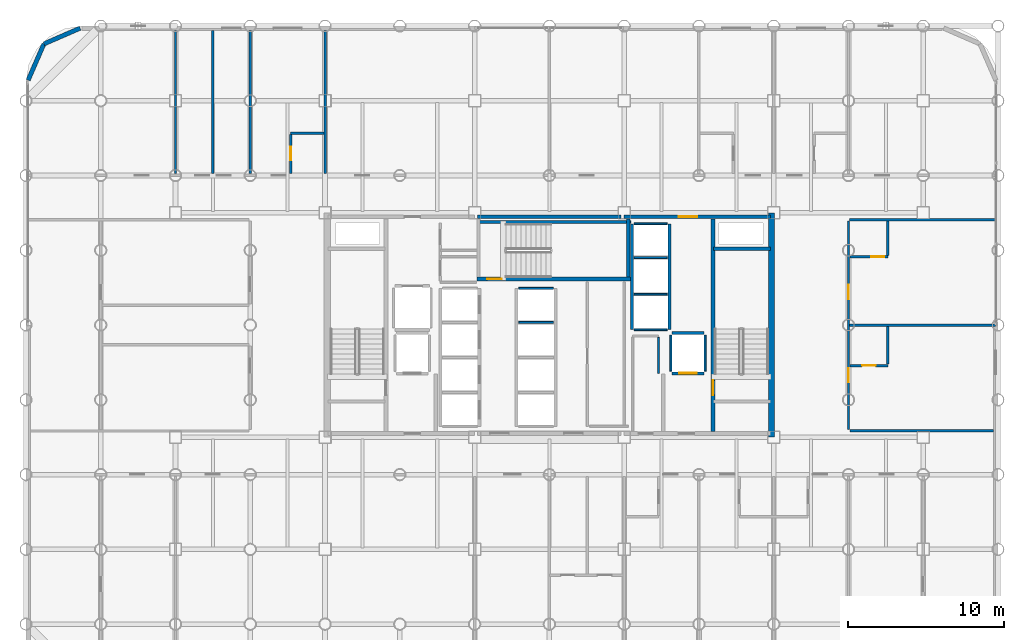
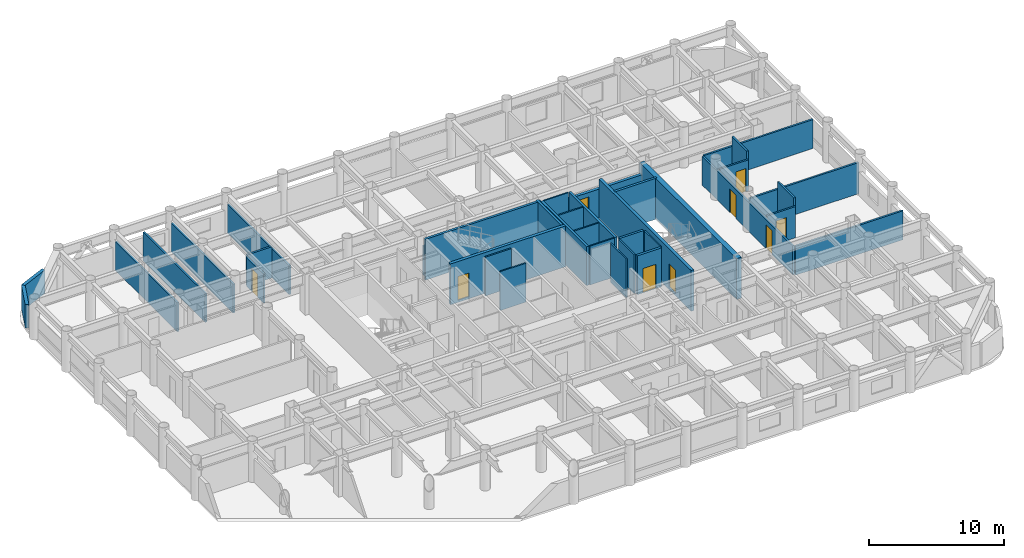
# One storey, part 18 of 21: 37 walls, 9 doors, 9 openings.
"""IFC4 building model written with IfcOpenShell, lengths in metres."""

from ifc_helpers import new_model, si_unit, direction, frame, frame_2d, origin, place, context, subcontext, project, spatial, rectangle, extrude, material, layer, layer_set, type_object, element, fill, save


model = new_model("IFC4")

# Units and contexts
model_context = context("Model", 3, precision=1e-05, world=origin(), true_north=direction((0.0, 1.0)))
body_context = subcontext(model_context, "Body", "Model", "MODEL_VIEW")
ifc_project = project(units=[si_unit("LENGTHUNIT", "METRE"), si_unit("AREAUNIT", "SQUARE_METRE"), si_unit("VOLUMEUNIT", "CUBIC_METRE"), si_unit("PLANEANGLEUNIT", "RADIAN"), si_unit("MASSUNIT", "GRAM", prefix="KILO")], contexts=[model_context])

# Site, building, storey
site_placement = place(None, origin())
site = spatial("IfcSite", under=ifc_project, at=site_placement, CompositionType="ELEMENT")
building_placement = place(site_placement, origin())
building = spatial("IfcBuilding", under=site, at=building_placement, Name="Kallvorn Hotel Tower", CompositionType="ELEMENT")
storey_placement = place(building_placement, frame((0.0, 0.0, 41.10009765625)))
storey = spatial("IfcBuildingStorey", under=building, at=storey_placement, Name="L08", CompositionType="ELEMENT", Elevation=41.10009765625)

# Walls
ifc_material_1 = material(Name="Concrete C50/60", Category="concrete")
ifc_layer_1 = layer(ifc_material_1, 0.39990234375)
ifc_layer_set_1 = layer_set([ifc_layer_1], Name="WL_CORE_400")
wall_type_1 = type_object("IfcWallType", Name="WL_CORE_400", PredefinedType="SHEAR", material=ifc_layer_set_1)
wall_1_placement = place(storey_placement, frame((14.264892578125, -7.199951171875, -0.18017578125), z_axis=(0.0, 0.0, 1.0), x_axis=(0.0, 1.0, 0.0)))
element("IfcWall", 1, at=wall_1_placement, inside=storey, type_object=wall_type_1, Name="L08 Core East Shear Wall", PredefinedType="SHEAR", context=body_context, shape_type="SweptSolid", body=[
    extrude(rectangle(XDim=14.39990234375, YDim=0.39990234375, at=frame_2d((7.199951171875, 0.0))), origin(), (0.0, 0.0, 1.0), 3.7001953125),
])
ifc_material_2 = material(Name="Fire-rated double-layer acoustic gypsum drywall EI 60")
ifc_layer_2 = layer(ifc_material_2, 0.159912109375)
ifc_layer_set_2 = layer_set([ifc_layer_2], Name="WL_DEMISE_160")
wall_type_2 = type_object("IfcWallType", Name="WL_DEMISE_160", PredefinedType="PARTITIONING", material=ifc_layer_set_2)
wall_2_placement = place(storey_placement, frame((19.280029296875, -6.800048828125, 0.0), z_axis=(0.0, 0.0, 1.0), x_axis=(1.0, 0.0, 0.0)))
element("IfcWall", 2, at=wall_2_placement, inside=storey, type_object=wall_type_2, Name="L08 Suite 801 E Loggia King Room Partition", PredefinedType="PARTITIONING", context=body_context, shape_type="SweptSolid", body=[
    extrude(rectangle(XDim=9.22998046875, YDim=0.159912109375, at=frame_2d((4.614990234375, 0.0))), origin(), (0.0, 0.0, 1.0), 2.619873046875),
])

# Wall, opening, door
wall_3_placement = place(storey_placement, frame((19.280029296875, -2.60009765625, 0.0), z_axis=(0.0, 0.0, 1.0), x_axis=(1.0, 0.0, 0.0)))
wall_3 = element("IfcWall", 3, at=wall_3_placement, inside=storey, type_object=wall_type_2, Name="L08 Suite 801 E Loggia King Room Partition", PredefinedType="PARTITIONING", context=body_context, shape_type="SweptSolid", body=[
    extrude(rectangle(XDim=2.449951171875, YDim=0.159912109375, at=frame_2d((1.22509765625, 0.0))), origin(), (0.0, 0.0, 1.0), 2.81982421875),
])
opening_1_placement = place(wall_3_placement, frame((0.794921875, 0.0, 0.0)))
opening_1 = element("IfcOpeningElement", 4, at=opening_1_placement, cuts=wall_3, Name="Opening BD-I", PredefinedType="OPENING", context=body_context, shape_type="SweptSolid", body=[
    extrude(rectangle(XDim=0.860107421875, YDim=2.10009765625, at=frame_2d((0.43017578125, 1.050048828125))), frame((0.0, 0.094970703125, 0.0), z_axis=(0.0, -1.0, 0.0), x_axis=(1.0, 0.0, 0.0)), (0.0, 0.0, 1.0), 0.18994140625),
])
ifc_material_3 = material(Name="Solid-core walnut veneer fire-rated timber door leaf", Category="wood")
door_type_1 = type_object("IfcDoorType", Name="DR_BATH_860x2100", OperationType="NOTDEFINED", PredefinedType="DOOR", material=ifc_material_3)
door_1_placement = place(opening_1_placement, origin())
door_1 = element("IfcDoor", 5, at=door_1_placement, inside=storey, type_object=door_type_1, Name="L08 Suite 801 En-Suite Bathroom Door", OperationType="SINGLE_SWING_RIGHT", OverallHeight=2.10009765625, OverallWidth=0.860107421875, PredefinedType="DOOR", context=body_context, shape_type="SweptSolid", body=[
    extrude(rectangle(XDim=0.860107421875, YDim=2.10009765625, at=frame_2d((0.43017578125, 1.050048828125))), frame((0.0, 0.02490234375, 0.0), z_axis=(0.0, -1.0, 0.0), x_axis=(1.0, 0.0, 0.0)), (0.0, 0.0, 1.0), 0.050048828125),
])
fill(opening_1, door_1)

# Wall
wall_4_placement = place(storey_placement, frame((19.280029296875, 0.0, 0.0), z_axis=(0.0, 0.0, 1.0), x_axis=(1.0, 0.0, 0.0)))
element("IfcWall", 6, at=wall_4_placement, inside=storey, type_object=wall_type_2, Name="L08 Suite 802 E Andean Twin Room Partition", PredefinedType="PARTITIONING", context=body_context, shape_type="SweptSolid", body=[
    extrude(rectangle(XDim=9.349853515625, YDim=0.159912109375, at=frame_2d((4.6748046875, 0.0))), origin(), (0.0, 0.0, 1.0), 2.81982421875),
])

# Wall, opening, door
wall_5_placement = place(storey_placement, frame((19.280029296875, 4.38330078125, 0.0), z_axis=(0.0, 0.0, 1.0), x_axis=(1.0, 0.0, 0.0)))
wall_5 = element("IfcWall", 7, at=wall_5_placement, inside=storey, type_object=wall_type_2, Name="L08 Suite 802 E Andean Twin Room Partition", PredefinedType="PARTITIONING", context=body_context, shape_type="SweptSolid", body=[
    extrude(rectangle(XDim=2.449951171875, YDim=0.159912109375, at=frame_2d((1.22509765625, 0.0))), origin(), (0.0, 0.0, 1.0), 2.81982421875),
])
opening_2_placement = place(wall_5_placement, frame((1.3701171875, 0.0, 0.0)))
opening_2 = element("IfcOpeningElement", 8, at=opening_2_placement, cuts=wall_5, Name="Opening BD-I", PredefinedType="OPENING", context=body_context, shape_type="SweptSolid", body=[
    extrude(rectangle(XDim=0.860107421875, YDim=2.10009765625, at=frame_2d((0.43017578125, 1.050048828125))), frame((0.0, 0.094970703125, 0.0), z_axis=(0.0, -1.0, 0.0), x_axis=(1.0, 0.0, 0.0)), (0.0, 0.0, 1.0), 0.18994140625),
])
door_2_placement = place(opening_2_placement, origin())
door_2 = element("IfcDoor", 9, at=door_2_placement, inside=storey, type_object=door_type_1, Name="L08 Suite 802 En-Suite Bathroom Door", OperationType="SINGLE_SWING_LEFT", OverallHeight=2.10009765625, OverallWidth=0.860107421875, PredefinedType="DOOR", context=body_context, shape_type="SweptSolid", body=[
    extrude(rectangle(XDim=0.860107421875, YDim=2.10009765625, at=frame_2d((0.43017578125, 1.050048828125))), frame((0.0, 0.02490234375, 0.0), z_axis=(0.0, -1.0, 0.0), x_axis=(1.0, 0.0, 0.0)), (0.0, 0.0, 1.0), 0.050048828125),
])
fill(opening_2, door_2)

# Walls
wall_6_placement = place(storey_placement, frame((19.280029296875, 6.75, 0.0), z_axis=(0.0, 0.0, 1.0), x_axis=(1.0, 0.0, 0.0)))
element("IfcWall", 10, at=wall_6_placement, inside=storey, type_object=wall_type_2, Name="L08 Suite 802 E Andean Twin Room Partition", PredefinedType="PARTITIONING", context=body_context, shape_type="SweptSolid", body=[
    extrude(rectangle(XDim=9.349853515625, YDim=0.159912109375, at=frame_2d((4.6748046875, 0.0))), origin(), (0.0, 0.0, 1.0), 2.619873046875),
])
wall_7_placement = place(storey_placement, frame((-16.610107421875, 12.320068359375, 0.0), z_axis=(0.0, 0.0, 1.0), x_axis=(1.0, 0.0, 0.0)))
element("IfcWall", 11, at=wall_7_placement, inside=storey, type_object=wall_type_2, Name="L08 Suite 807 Standard Twin Room Partition", PredefinedType="PARTITIONING", context=body_context, shape_type="SweptSolid", body=[
    extrude(rectangle(XDim=2.130126953125, YDim=0.159912109375, at=frame_2d((1.06494140625, 0.0))), origin(), (0.0, 0.0, 1.0), 2.81982421875),
])
wall_8_placement = place(storey_placement, frame((-19.199951171875, 9.719970703125, 0.0), z_axis=(0.0, 0.0, 1.0), x_axis=(0.0, 1.0, 0.0)))
element("IfcWall", 12, at=wall_8_placement, inside=storey, type_object=wall_type_2, Name="L08 Suite 807 Standard Twin Room Partition", PredefinedType="PARTITIONING", context=body_context, shape_type="SweptSolid", body=[
    extrude(rectangle(XDim=9.18994140625, YDim=0.159912109375, at=frame_2d((4.594970703125, 0.0))), origin(), (0.0, 0.0, 1.0), 2.619873046875),
])

# Wall, opening, door
wall_9_placement = place(storey_placement, frame((-16.610107421875, 9.719970703125, 0.0), z_axis=(0.0, 0.0, 1.0), x_axis=(0.0, 1.0, 0.0)))
wall_9 = element("IfcWall", 13, at=wall_9_placement, inside=storey, type_object=wall_type_2, Name="L08 Suite 807 Standard Twin Room Partition", PredefinedType="PARTITIONING", context=body_context, shape_type="SweptSolid", body=[
    extrude(rectangle(XDim=2.51513671875, YDim=0.159912109375, at=frame_2d((1.257568359375, 0.0))), origin(), (0.0, 0.0, 1.0), 2.619873046875),
])
opening_3_placement = place(wall_9_placement, frame((0.8701171875, 0.0, 0.0)))
opening_3 = element("IfcOpeningElement", 14, at=opening_3_placement, cuts=wall_9, Name="Opening BD-I", PredefinedType="OPENING", context=body_context, shape_type="SweptSolid", body=[
    extrude(rectangle(XDim=0.860107421875, YDim=2.10009765625, at=frame_2d((0.43017578125, 1.050048828125))), frame((0.0, 0.094970703125, 0.0), z_axis=(0.0, -1.0, 0.0), x_axis=(1.0, 0.0, 0.0)), (0.0, 0.0, 1.0), 0.18994140625),
])
door_3_placement = place(opening_3_placement, origin())
door_3 = element("IfcDoor", 15, at=door_3_placement, inside=storey, type_object=door_type_1, Name="L08 Suite 807 En-Suite Bathroom Door", OperationType="SINGLE_SWING_RIGHT", OverallHeight=2.10009765625, OverallWidth=0.860107421875, PredefinedType="DOOR", context=body_context, shape_type="SweptSolid", body=[
    extrude(rectangle(XDim=0.860107421875, YDim=2.10009765625, at=frame_2d((0.43017578125, 1.050048828125))), frame((0.0, 0.02490234375, 0.0), z_axis=(0.0, -1.0, 0.0), x_axis=(1.0, 0.0, 0.0)), (0.0, 0.0, 1.0), 0.050048828125),
])
fill(opening_3, door_3)

# Wall
wall_10_placement = place(storey_placement, frame((-14.39990234375, 9.719970703125, 0.0), z_axis=(0.0, 0.0, 1.0), x_axis=(0.0, 1.0, 0.0)))
element("IfcWall", 16, at=wall_10_placement, inside=storey, type_object=wall_type_2, Name="L08 Suite 807 Standard Twin Room Partition", PredefinedType="PARTITIONING", context=body_context, shape_type="SweptSolid", body=[
    extrude(rectangle(XDim=9.18994140625, YDim=0.159912109375, at=frame_2d((4.594970703125, 0.0))), origin(), (0.0, 0.0, 1.0), 2.619873046875),
])

# Wall, openings, doors
wall_11_placement = place(storey_placement, frame((19.199951171875, -6.715087890625, 0.0), z_axis=(0.0, 0.0, 1.0), x_axis=(0.0, 1.0, 0.0)))
wall_11 = element("IfcWall", 17, at=wall_11_placement, inside=storey, type_object=wall_type_2, Name="L08 Suite 801 E Loggia King Room Partition", PredefinedType="PARTITIONING", context=body_context, shape_type="SweptSolid", body=[
    extrude(rectangle(XDim=13.380126953125, YDim=0.159912109375, at=frame_2d((6.68994140625, 0.0))), origin(), (0.0, 0.0, 1.0), 2.619873046875),
])
opening_4_placement = place(wall_11_placement, frame((3.034912109375, 0.0, 0.0)))
opening_4 = element("IfcOpeningElement", 18, at=opening_4_placement, cuts=wall_11, Name="Opening GD1", PredefinedType="OPENING", context=body_context, shape_type="SweptSolid", body=[
    extrude(rectangle(XDim=0.919921875, YDim=2.14990234375, at=frame_2d((0.4599609375, 1.074951171875))), frame((0.0, 0.094970703125, 0.0), z_axis=(0.0, -1.0, 0.0), x_axis=(1.0, 0.0, 0.0)), (0.0, 0.0, 1.0), 0.18994140625),
])
opening_5_placement = place(wall_11_placement, frame((8.385009765625, 0.0, 0.0)))
opening_5 = element("IfcOpeningElement", 19, at=opening_5_placement, cuts=wall_11, Name="Opening GD1", PredefinedType="OPENING", context=body_context, shape_type="SweptSolid", body=[
    extrude(rectangle(XDim=0.919921875, YDim=2.14990234375, at=frame_2d((0.4599609375, 1.074951171875))), frame((0.0, 0.094970703125, 0.0), z_axis=(0.0, -1.0, 0.0), x_axis=(1.0, 0.0, 0.0)), (0.0, 0.0, 1.0), 0.18994140625),
])
ifc_material_4 = material(Name="Solid-core walnut veneer fire-rated timber door leaf", Category="wood")
door_type_2 = type_object("IfcDoorType", Name="DR_GUEST_920x2150", OperationType="NOTDEFINED", PredefinedType="DOOR", material=ifc_material_4)
door_4_placement = place(opening_4_placement, origin())
door_4 = element("IfcDoor", 20, at=door_4_placement, inside=storey, type_object=door_type_2, Name="L08 Suite 801 E Loggia King Room Door", OperationType="SINGLE_SWING_RIGHT", OverallHeight=2.14990234375, OverallWidth=0.919921875, PredefinedType="DOOR", context=body_context, shape_type="SweptSolid", body=[
    extrude(rectangle(XDim=0.919921875, YDim=2.14990234375, at=frame_2d((0.4599609375, 1.074951171875))), frame((0.0, 0.02490234375, 0.0), z_axis=(0.0, -1.0, 0.0), x_axis=(1.0, 0.0, 0.0)), (0.0, 0.0, 1.0), 0.050048828125),
])
fill(opening_4, door_4)
door_5_placement = place(opening_5_placement, origin())
door_5 = element("IfcDoor", 21, at=door_5_placement, inside=storey, type_object=door_type_2, Name="L08 Suite 802 E Andean Twin Room Door", OperationType="SINGLE_SWING_LEFT", OverallHeight=2.14990234375, OverallWidth=0.919921875, PredefinedType="DOOR", context=body_context, shape_type="SweptSolid", body=[
    extrude(rectangle(XDim=0.919921875, YDim=2.14990234375, at=frame_2d((0.4599609375, 1.074951171875))), frame((0.0, 0.02490234375, 0.0), z_axis=(0.0, -1.0, 0.0), x_axis=(1.0, 0.0, 0.0)), (0.0, 0.0, 1.0), 0.050048828125),
])
fill(opening_5, door_5)

# Walls
wall_12_placement = place(storey_placement, frame((21.72998046875, -2.514892578125, 0.0), z_axis=(0.0, 0.0, 1.0), x_axis=(0.0, 1.0, 0.0)))
element("IfcWall", 22, at=wall_12_placement, inside=storey, type_object=wall_type_2, Name="L08 Suite 801 E Loggia King Room Partition", PredefinedType="PARTITIONING", context=body_context, shape_type="SweptSolid", body=[
    extrude(rectangle(XDim=2.414794921875, YDim=0.159912109375, at=frame_2d((1.20751953125, 0.0))), origin(), (0.0, 0.0, 1.0), 3.52001953125),
])
wall_13_placement = place(storey_placement, frame((21.72998046875, 4.46826171875, 0.0), z_axis=(0.0, 0.0, 1.0), x_axis=(0.0, 1.0, 0.0)))
element("IfcWall", 23, at=wall_13_placement, inside=storey, type_object=wall_type_2, Name="L08 Suite 802 E Andean Twin Room Partition", PredefinedType="PARTITIONING", context=body_context, shape_type="SweptSolid", body=[
    extrude(rectangle(XDim=2.19677734375, YDim=0.159912109375, at=frame_2d((1.098388671875, 0.0))), origin(), (0.0, 0.0, 1.0), 3.52001953125),
])
ifc_material_5 = material(Name="Precast basalt-clad insulated concrete wall C40/50", Category="masonry")
ifc_layer_3 = layer(ifc_material_5, 0.280029296875)
ifc_layer_set_3 = layer_set([ifc_layer_3], Name="WL_EXT_LOGGIA_280")
wall_type_3 = type_object("IfcWallType", Name="WL_EXT_LOGGIA_280", PredefinedType="SOLIDWALL", material=ifc_layer_set_3)
wall_14_placement = place(storey_placement, frame((-30.120849609375, 19.057861328125, 0.0), z_axis=(0.0, 0.0, 1.0), x_axis=(-0.917060872934, -0.398747232384, 0.0)))
element("IfcWall", 24, at=wall_14_placement, inside=storey, type_object=wall_type_3, Name="L08 Rounded Corner Exterior Wall NW1", PredefinedType="SOLIDWALL", context=body_context, shape_type="SweptSolid", body=[
    extrude(rectangle(XDim=2.5361328125, YDim=0.280029296875, at=frame_2d((1.26806640625, 0.0))), origin(), (0.0, 0.0, 1.0), 2.119873046875),
])
wall_15_placement = place(storey_placement, frame((-32.446533203125, 18.046630859375, 0.0), z_axis=(0.0, 0.0, 1.0), x_axis=(-0.398792985289, -0.917040977756, 0.0)))
element("IfcWall", 25, at=wall_15_placement, inside=storey, type_object=wall_type_3, Name="L08 Rounded Corner Exterior Wall NW2", PredefinedType="SOLIDWALL", context=body_context, shape_type="SweptSolid", body=[
    extrude(rectangle(XDim=2.536376953125, YDim=0.280029296875, at=frame_2d((1.26806640625, 0.0))), origin(), (0.0, 0.0, 1.0), 2.119873046875),
])
ifc_material_6 = material(Name="Concrete C40/50", Category="concrete")
ifc_layer_4 = layer(ifc_material_6, 0.199951171875)
ifc_layer_set_4 = layer_set([ifc_layer_4], Name="WL_HOIST_200")
wall_type_4 = type_object("IfcWallType", Name="WL_HOIST_200", PredefinedType="SOLIDWALL", material=ifc_layer_set_4)
wall_16_placement = place(storey_placement, frame((10.550048828125, 4.89990234375, -0.18017578125), z_axis=(0.0, 0.0, 1.0), x_axis=(1.0, 0.0, 0.0)))
element("IfcWall", 26, at=wall_16_placement, inside=storey, type_object=wall_type_4, Name="L08 Stair ST2 North Wall", PredefinedType="SOLIDWALL", context=body_context, shape_type="SweptSolid", body=[
    extrude(rectangle(XDim=3.64990234375, YDim=0.199951171875, at=frame_2d((1.824951171875, 0.0))), origin(), (0.0, 0.0, 1.0), 3.7001953125),
])
wall_17_placement = place(storey_placement, frame((-4.64990234375, 6.610107421875, -0.18017578125), z_axis=(0.0, 0.0, 1.0), x_axis=(1.0, 0.0, 0.0)))
element("IfcWall", 27, at=wall_17_placement, inside=storey, type_object=wall_type_4, Name="L08 Stair ST3 Shaft North Wall", PredefinedType="SOLIDWALL", context=body_context, shape_type="SweptSolid", body=[
    extrude(rectangle(XDim=9.89990234375, YDim=0.199951171875, at=frame_2d((4.949951171875, 0.0))), origin(), (0.0, 0.0, 1.0), 3.7001953125),
])
wall_18_placement = place(storey_placement, frame((5.06005859375, 3.080078125, -0.18017578125), z_axis=(0.0, 0.0, 1.0), x_axis=(0.0, 1.0, 0.0)))
element("IfcWall", 28, at=wall_18_placement, inside=storey, type_object=wall_type_4, Name="L08 Stair ST3 East Wall", PredefinedType="SOLIDWALL", context=body_context, shape_type="SweptSolid", body=[
    extrude(rectangle(XDim=3.739990234375, YDim=0.199951171875, at=frame_2d((1.8701171875, 0.0))), origin(), (0.0, 0.0, 1.0), 3.7001953125),
])
for number, where, z_axis, x_axis, name in (
    (29, (7.699951171875, -0.300048828125, 0.0), (0.0, 0.0, 1.0), (0.0, 1.0, 0.0), "L08 Lift Bank OBS Landing Wall"),
    (30, (5.300048828125, -0.300048828125, 0.0), (0.0, 0.0, 1.0), (0.0, 1.0, 0.0), "L08 Lift Bank OBS Rear Shaft Wall"),
):
    element("IfcWall", number, at=place(storey_placement, frame(where, z_axis=z_axis, x_axis=x_axis)), inside=storey, type_object=wall_type_4, Name=name, PredefinedType="SOLIDWALL", context=body_context, shape_type="SweptSolid", body=[
        extrude(rectangle(XDim=6.800048828125, YDim=0.199951171875, at=frame_2d((3.39990234375, 0.0))), origin(), (0.0, 0.0, 1.0), 3.52001953125),
    ])

# Wall, opening, door
wall_19_placement = place(storey_placement, frame((7.8798828125, -3.10009765625, 0.0), z_axis=(0.0, 0.0, 1.0), x_axis=(1.0, 0.0, 0.0)))
wall_19 = element("IfcWall", 31, at=wall_19_placement, inside=storey, type_object=wall_type_4, Name="L08 FL-2 Landing Wall", PredefinedType="SOLIDWALL", context=body_context, shape_type="SweptSolid", body=[
    extrude(rectangle(XDim=2.0400390625, YDim=0.199951171875, at=frame_2d((1.02001953125, 0.0))), origin(), (0.0, 0.0, 1.0), 3.52001953125),
])
opening_6_placement = place(wall_19_placement, frame((0.469970703125, 0.0, 0.0)))
opening_6 = element("IfcOpeningElement", 32, at=opening_6_placement, cuts=wall_19, Name="Opening LD-FL-2", PredefinedType="OPENING", context=body_context, shape_type="SweptSolid", body=[
    extrude(rectangle(XDim=1.10009765625, YDim=2.199951171875, at=frame_2d((0.550048828125, 1.10009765625))), frame((0.0, 0.114990234375, 0.0), z_axis=(0.0, -1.0, 0.0), x_axis=(1.0, 0.0, 0.0)), (0.0, 0.0, 1.0), 0.22998046875),
])
ifc_material_7 = material(Name="Brushed stainless-steel automatic sliding lift landing door", Category="steel")
door_type_3 = type_object("IfcDoorType", Name="LD_PASS_1100x2200", OperationType="SLIDING_TO_LEFT", PredefinedType="DOOR", material=ifc_material_7)
door_6_placement = place(opening_6_placement, origin())
door_6 = element("IfcDoor", 33, at=door_6_placement, inside=storey, type_object=door_type_3, Name="L08 Lift Landing Sliding Door LD-FL-2", OperationType="SLIDING_TO_LEFT", OverallHeight=2.199951171875, OverallWidth=1.10009765625, PredefinedType="DOOR", context=body_context, shape_type="SweptSolid", body=[
    extrude(rectangle(XDim=1.10009765625, YDim=2.199951171875, at=frame_2d((0.550048828125, 1.10009765625))), frame((0.0, 0.02490234375, 0.0), z_axis=(0.0, -1.0, 0.0), x_axis=(1.0, 0.0, 0.0)), (0.0, 0.0, 1.0), 0.050048828125),
])
fill(opening_6, door_6)

# Walls
wall_20_placement = place(storey_placement, frame((7.8798828125, -0.5, 0.0), z_axis=(0.0, 0.0, 1.0), x_axis=(1.0, 0.0, 0.0)))
element("IfcWall", 34, at=wall_20_placement, inside=storey, type_object=wall_type_4, Name="L08 FL-2 Rear Shaft Wall", PredefinedType="SOLIDWALL", context=body_context, shape_type="SweptSolid", body=[
    extrude(rectangle(XDim=2.0400390625, YDim=0.199951171875, at=frame_2d((1.02001953125, 0.0))), origin(), (0.0, 0.0, 1.0), 3.52001953125),
])
ifc_material_8 = material(Name="Fire-rated double-layer acoustic gypsum drywall EI 60")
ifc_layer_5 = layer(ifc_material_8, 0.1201171875)
ifc_layer_set_5 = layer_set([ifc_layer_5], Name="WL_INT_120")
wall_type_5 = type_object("IfcWallType", Name="WL_INT_120", PredefinedType="PARTITIONING", material=ifc_layer_set_5)
for number, where, z_axis, x_axis, name in (
    (35, (-1.9599609375, 0.175048828125, 0.0), (0.0, 0.0, 1.0), (1.0, 0.0, 0.0), "L08 PL-07 Hoistway Divider"),
    (36, (-1.9599609375, 2.35009765625, 0.0), (0.0, 0.0, 1.0), (1.0, 0.0, 0.0), "L08 PL-08 Hoistway Divider"),
):
    element("IfcWall", number, at=place(storey_placement, frame(where, z_axis=z_axis, x_axis=x_axis)), inside=storey, type_object=wall_type_5, Name=name, PredefinedType="PARTITIONING", context=body_context, shape_type="SweptSolid", body=[
        extrude(rectangle(XDim=2.219970703125, YDim=0.1201171875, at=frame_2d((1.10986328125, 0.0))), origin(), (0.0, 0.0, 1.0), 3.52001953125),
    ])
for number, where, z_axis, x_axis, name in (
    (37, (5.43994140625, -0.300048828125, 0.0), (0.0, 0.0, 1.0), (1.0, 0.0, 0.0), "L08 Lift Bank OBS South Closure Wall"),
    (38, (5.43994140625, 1.97509765625, 0.0), (0.0, 0.0, 1.0), (1.0, 0.0, 0.0), "L08 OB-01 Hoistway Divider"),
    (39, (5.43994140625, 4.324951171875, 0.0), (0.0, 0.0, 1.0), (1.0, 0.0, 0.0), "L08 OB-02 Hoistway Divider"),
    (40, (5.43994140625, 6.5, 0.0), (0.0, 0.0, 1.0), (1.0, 0.0, 0.0), "L08 OB-03 Hoistway Divider"),
):
    element("IfcWall", number, at=place(storey_placement, frame(where, z_axis=z_axis, x_axis=x_axis)), inside=storey, type_object=wall_type_5, Name=name, PredefinedType="PARTITIONING", context=body_context, shape_type="SweptSolid", body=[
        extrude(rectangle(XDim=2.1201171875, YDim=0.1201171875, at=frame_2d((1.06005859375, 0.0))), origin(), (0.0, 0.0, 1.0), 3.52001953125),
    ])
for number, where, z_axis, x_axis, name in (
    (41, (7.800048828125, -2.9599609375, 0.0), (0.0, 0.0, 1.0), (0.0, 1.0, 0.0), "L08 FL-2 West Shaft Wall"),
    (42, (10.0, -2.9599609375, 0.0), (0.0, 0.0, 1.0), (0.0, 1.0, 0.0), "L08 FL-2 East Shaft Wall"),
):
    element("IfcWall", number, at=place(storey_placement, frame(where, z_axis=z_axis, x_axis=x_axis)), inside=storey, type_object=wall_type_5, Name=name, PredefinedType="PARTITIONING", context=body_context, shape_type="SweptSolid", body=[
        extrude(rectangle(XDim=2.320068359375, YDim=0.1201171875, at=frame_2d((1.16015625, 0.0))), origin(), (0.0, 0.0, 1.0), 3.52001953125),
    ])
wall_21_placement = place(storey_placement, frame((7.006591796875, -3.110107421875, 0.0), z_axis=(0.0, 0.0, 1.0), x_axis=(0.0, 1.0, 0.0)))
element("IfcWall", 43, at=wall_21_placement, inside=storey, type_object=wall_type_5, Name="L08 Core Utility and Meter Room Partition", PredefinedType="PARTITIONING", context=body_context, shape_type="SweptSolid", body=[
    extrude(rectangle(XDim=2.3251953125, YDim=0.1201171875, at=frame_2d((1.16259765625, 0.0))), origin(), (0.0, 0.0, 1.0), 3.52001953125),
])
ifc_material_9 = material(Name="Fire-rated double-layer acoustic gypsum drywall EI 60")
ifc_layer_6 = layer(ifc_material_9, 0.14990234375)
ifc_layer_set_6 = layer_set([ifc_layer_6], Name="WL_PART_150")
wall_type_6 = type_object("IfcWallType", Name="WL_PART_150", PredefinedType="PARTITIONING", material=ifc_layer_set_6)
for number, where, z_axis, x_axis, name in (
    (44, (-24.0, 9.719970703125, 0.0), (0.0, 0.0, 1.0), (0.0, 1.0, 0.0), "L08 Housekeeping and Linen Room Partition"),
    (45, (-21.60009765625, 9.719970703125, 0.0), (0.0, 0.0, 1.0), (0.0, 1.0, 0.0), "L08 Guest Tea and Refreshment Bar Partition"),
):
    element("IfcWall", number, at=place(storey_placement, frame(where, z_axis=z_axis, x_axis=x_axis)), inside=storey, type_object=wall_type_6, Name=name, PredefinedType="PARTITIONING", context=body_context, shape_type="SweptSolid", body=[
        extrude(rectangle(XDim=9.18994140625, YDim=0.14990234375, at=frame_2d((4.594970703125, 0.0))), origin(), (0.0, 0.0, 1.0), 2.619873046875),
    ])
ifc_material_10 = material(Name="Concrete C40/50", Category="concrete")
ifc_layer_7 = layer(ifc_material_10, 0.25)
ifc_layer_set_7 = layer_set([ifc_layer_7], Name="WL_SHAFT_250")
wall_type_7 = type_object("IfcWallType", Name="WL_SHAFT_250", PredefinedType="SOLIDWALL", material=ifc_layer_set_7)
wall_22_placement = place(storey_placement, frame((-4.60009765625, 6.949951171875, 0.0), z_axis=(0.0, 0.0, 1.0), x_axis=(1.0, 0.0, 0.0)))
element("IfcWall", 46, at=wall_22_placement, inside=storey, type_object=wall_type_7, Name="L08 Core North-Central Wall", PredefinedType="SOLIDWALL", context=body_context, shape_type="SweptSolid", body=[
    extrude(rectangle(XDim=9.2001953125, YDim=0.25, at=frame_2d((4.60009765625, 0.0))), origin(), (0.0, 0.0, 1.0), 2.619873046875),
])

# Wall, opening, door
wall_23_placement = place(storey_placement, frame((4.800048828125, 6.949951171875, 0.0), z_axis=(0.0, 0.0, 1.0), x_axis=(1.0, 0.0, 0.0)))
wall_23 = element("IfcWall", 47, at=wall_23_placement, inside=storey, type_object=wall_type_7, Name="L08 Core North-East Wall", PredefinedType="SOLIDWALL", context=body_context, shape_type="SweptSolid", body=[
    extrude(rectangle(XDim=9.39990234375, YDim=0.25, at=frame_2d((4.699951171875, 0.0))), origin(), (0.0, 0.0, 1.0), 2.619873046875),
])
opening_7_placement = place(wall_23_placement, frame((3.5, 0.0, 0.0)))
opening_7 = element("IfcOpeningElement", 48, at=opening_7_placement, cuts=wall_23, Name="Opening FD2", PredefinedType="OPENING", context=body_context, shape_type="SweptSolid", body=[
    extrude(rectangle(XDim=1.199951171875, YDim=2.199951171875, at=frame_2d((0.60009765625, 1.10009765625))), frame((0.0, 0.139892578125, 0.0), z_axis=(0.0, -1.0, 0.0), x_axis=(1.0, 0.0, 0.0)), (0.0, 0.0, 1.0), 0.280029296875),
])
ifc_material_11 = material(Name="Galvanised painted steel fire-rated door assembly", Category="steel")
door_type_4 = type_object("IfcDoorType", Name="DR_LOBBY_1200x2200", OperationType="DOUBLE_DOOR_SINGLE_SWING", PredefinedType="DOOR", material=ifc_material_11)
door_7_placement = place(opening_7_placement, origin())
door_7 = element("IfcDoor", 49, at=door_7_placement, inside=storey, type_object=door_type_4, Name="L08 Observatory Shuttle Lobby Door", OperationType="DOUBLE_DOOR_SINGLE_SWING", OverallHeight=2.199951171875, OverallWidth=1.199951171875, PredefinedType="DOOR", context=body_context, shape_type="SweptSolid", body=[
    extrude(rectangle(XDim=1.199951171875, YDim=2.199951171875, at=frame_2d((0.60009765625, 1.10009765625))), frame((0.0, 0.02490234375, 0.0), z_axis=(0.0, -1.0, 0.0), x_axis=(1.0, 0.0, 0.0)), (0.0, 0.0, 1.0), 0.050048828125),
])
fill(opening_7, door_7)

wall_24_placement = place(storey_placement, frame((10.5, -6.820068359375, -0.18017578125), z_axis=(0.0, 0.0, 1.0), x_axis=(0.0, 1.0, 0.0)))
wall_24 = element("IfcWall", 50, at=wall_24_placement, inside=storey, type_object=wall_type_7, Name="L08 Stair ST2 Shaft Wall", PredefinedType="SOLIDWALL", context=body_context, shape_type="SweptSolid", body=[
    extrude(rectangle(XDim=13.64013671875, YDim=0.25, at=frame_2d((6.820068359375, 0.0))), origin(), (0.0, 0.0, 1.0), 3.7001953125),
])
opening_8_placement = place(wall_24_placement, frame((2.320068359375, 0.0, 0.179931640625)))
opening_8 = element("IfcOpeningElement", 51, at=opening_8_placement, cuts=wall_24, Name="Opening SD1", PredefinedType="OPENING", context=body_context, shape_type="SweptSolid", body=[
    extrude(rectangle(XDim=0.949951171875, YDim=2.14990234375, at=frame_2d((0.47509765625, 1.074951171875))), frame((0.0, 0.139892578125, 0.0), z_axis=(0.0, -1.0, 0.0), x_axis=(1.0, 0.0, 0.0)), (0.0, 0.0, 1.0), 0.280029296875),
])
ifc_material_12 = material(Name="Galvanised painted steel fire-rated door assembly", Category="steel")
door_type_5 = type_object("IfcDoorType", Name="DR_STAIR_950x2150", OperationType="NOTDEFINED", PredefinedType="DOOR", material=ifc_material_12)
door_8_placement = place(opening_8_placement, origin())
door_8 = element("IfcDoor", 52, at=door_8_placement, inside=storey, type_object=door_type_5, Name="L08 Exit Stair ST2 Fire Door", OperationType="SINGLE_SWING_LEFT", OverallHeight=2.14990234375, OverallWidth=0.949951171875, PredefinedType="DOOR", context=body_context, shape_type="SweptSolid", body=[
    extrude(rectangle(XDim=0.949951171875, YDim=2.14990234375, at=frame_2d((0.47509765625, 1.074951171875))), frame((0.0, 0.02490234375, 0.0), z_axis=(0.0, -1.0, 0.0), x_axis=(1.0, 0.0, 0.0)), (0.0, 0.0, 1.0), 0.050048828125),
])
fill(opening_8, door_8)

wall_25_placement = place(storey_placement, frame((-4.64990234375, 2.949951171875, -0.18017578125), z_axis=(0.0, 0.0, 1.0), x_axis=(1.0, 0.0, 0.0)))
wall_25 = element("IfcWall", 53, at=wall_25_placement, inside=storey, type_object=wall_type_7, Name="L08 Stair ST3 Shaft South Wall", PredefinedType="SOLIDWALL", context=body_context, shape_type="SweptSolid", body=[
    extrude(rectangle(XDim=9.89990234375, YDim=0.25, at=frame_2d((4.949951171875, 0.0))), origin(), (0.0, 0.0, 1.0), 3.7001953125),
])
opening_9_placement = place(wall_25_placement, frame((0.64990234375, 0.0, 0.179931640625)))
opening_9 = element("IfcOpeningElement", 54, at=opening_9_placement, cuts=wall_25, Name="Opening SD1", PredefinedType="OPENING", context=body_context, shape_type="SweptSolid", body=[
    extrude(rectangle(XDim=0.949951171875, YDim=2.14990234375, at=frame_2d((0.47509765625, 1.074951171875))), frame((0.0, 0.139892578125, 0.0), z_axis=(0.0, -1.0, 0.0), x_axis=(1.0, 0.0, 0.0)), (0.0, 0.0, 1.0), 0.280029296875),
])
door_9_placement = place(opening_9_placement, origin())
door_9 = element("IfcDoor", 55, at=door_9_placement, inside=storey, type_object=door_type_5, Name="L08 Exit Stair ST3 Fire Door", OperationType="SINGLE_SWING_LEFT", OverallHeight=2.14990234375, OverallWidth=0.949951171875, PredefinedType="DOOR", context=body_context, shape_type="SweptSolid", body=[
    extrude(rectangle(XDim=0.949951171875, YDim=2.14990234375, at=frame_2d((0.47509765625, 1.074951171875))), frame((0.0, 0.02490234375, 0.0), z_axis=(0.0, -1.0, 0.0), x_axis=(1.0, 0.0, 0.0)), (0.0, 0.0, 1.0), 0.050048828125),
])
fill(opening_9, door_9)

save(model, "model.ifc")
